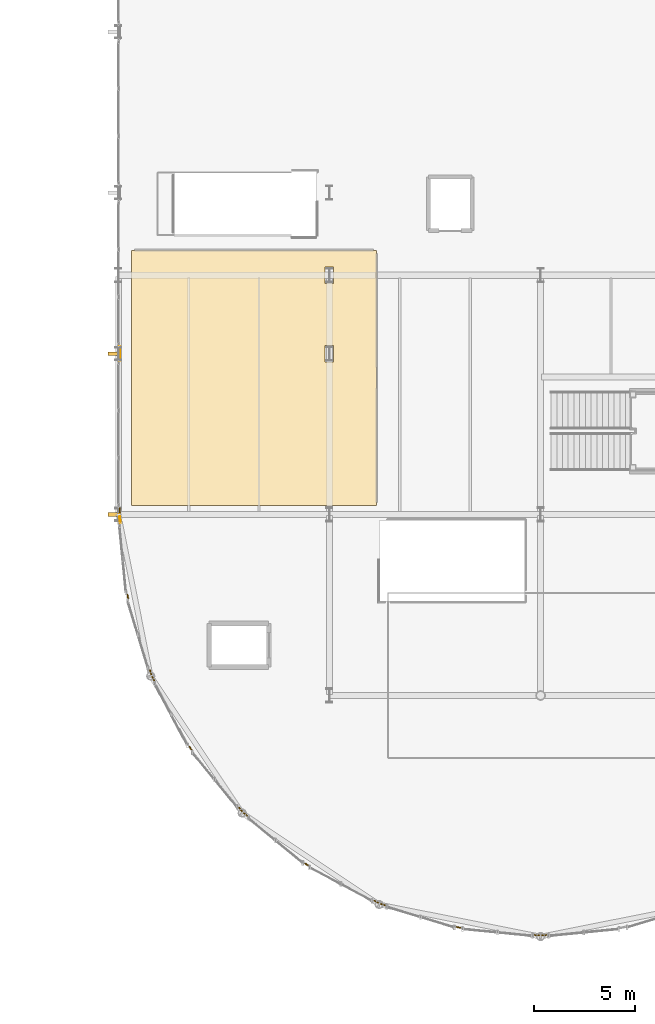
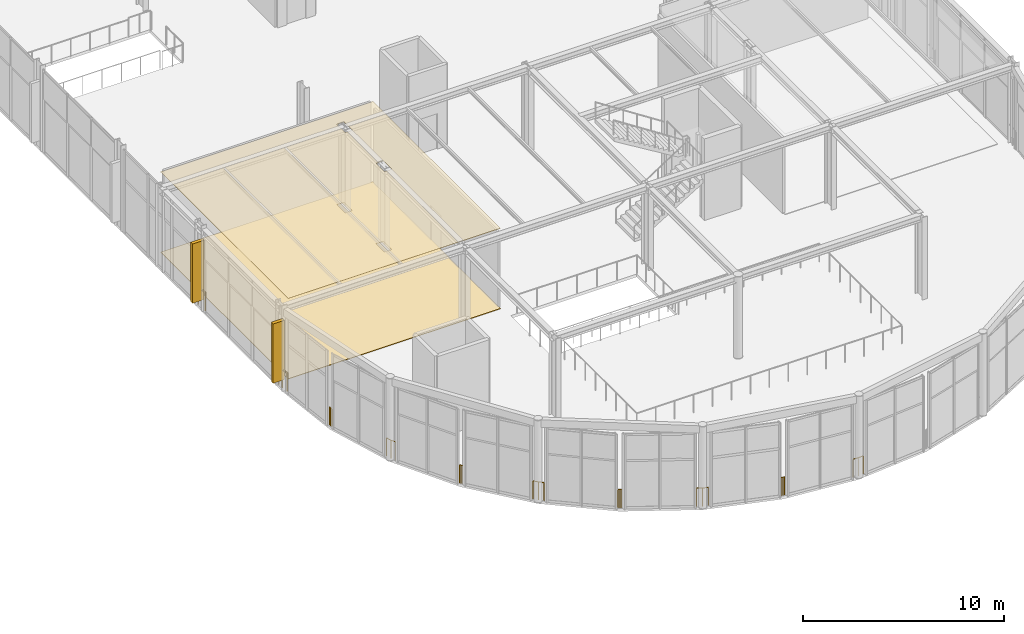
# One storey, part 171 of 195: 11 railings, 2 coverings, 2 shading devices.
"""IFC4 building model written with IfcOpenShell, lengths in metres."""

from ifc_helpers import new_model, si_unit, direction, frame, origin, origin_2d, place, context, subcontext, project, spatial, polyline, rectangle, circle, outline, extrude, material, layer, layer_set, type_object, element, save


model = new_model("IFC4")

# Units and contexts
model_context = context("Model", 3, precision=1e-05, world=origin(), true_north=direction((0.0, 1.0)))
body_context = subcontext(model_context, "Body", "Model", "MODEL_VIEW")
ifc_project = project(units=[si_unit("LENGTHUNIT", "METRE"), si_unit("AREAUNIT", "SQUARE_METRE"), si_unit("VOLUMEUNIT", "CUBIC_METRE"), si_unit("PLANEANGLEUNIT", "RADIAN"), si_unit("MASSUNIT", "GRAM", prefix="KILO")], contexts=[model_context])

# Site, building, storey
site_placement = place(None, origin())
site = spatial("IfcSite", under=ifc_project, at=site_placement, CompositionType="ELEMENT")
building_placement = place(site_placement, origin())
building = spatial("IfcBuilding", under=site, at=building_placement, Name="Marlcrest Central Station", CompositionType="ELEMENT")
storey_placement = place(building_placement, frame((0.0, 0.0, 9.800048828125)))
storey = spatial("IfcBuildingStorey", under=building, at=storey_placement, Name="L02", CompositionType="ELEMENT", Elevation=9.800048828125)

# Coverings
ifc_material_1 = material(Name="Perforated acoustic mineral-fibre ceiling")
ifc_layer_1 = layer(ifc_material_1, 0.02490234375, Name="CV-CLG")
ifc_layer_set_1 = layer_set([ifc_layer_1], Name="Perforated acoustic mineral-fibre ceiling")
covering_type_1 = type_object("IfcCoveringType", Name="CV-CLG", PredefinedType="CEILING", material=ifc_layer_set_1)
covering_1_placement = place(storey_placement, frame((0.0, 0.0, 4.875)))
element("IfcCovering", 1, at=covering_1_placement, inside=storey, type_object=covering_type_1, Name="cov-clg-0091", PredefinedType="CEILING", context=body_context, shape_type="SweptSolid", body=[
    extrude(outline(polyline([(87.659912109375, 35.639892578125), (99.840087890625, 35.639892578125), (99.840087890625, 22.9599609375), (87.659912109375, 22.9599609375), (87.659912109375, 35.639892578125)]), holes=[polyline([(97.2900390625, 30.909912109375), (97.2900390625, 30.090087890625), (97.7099609375, 30.090087890625), (97.7099609375, 30.909912109375), (97.2900390625, 30.909912109375)]), polyline([(97.7099609375, 34.81005859375), (97.2900390625, 34.81005859375), (97.2900390625, 33.989990234375), (97.7099609375, 33.989990234375), (97.7099609375, 34.81005859375)])]), origin(), (0.0, 0.0, 1.0), 0.02490234375),
])
ifc_material_2 = material(Name="Polished terrazzo and tactile transit flooring")
ifc_layer_2 = layer(ifc_material_2, 0.030029296875, Name="CV-FLR")
ifc_layer_set_2 = layer_set([ifc_layer_2], Name="Polished terrazzo and tactile transit flooring")
covering_type_2 = type_object("IfcCoveringType", Name="CV-FLR", PredefinedType="FLOORING", material=ifc_layer_set_2)
covering_2_placement = place(storey_placement, origin())
element("IfcCovering", 2, at=covering_2_placement, inside=storey, type_object=covering_type_2, Name="cov-flr-0092", PredefinedType="FLOORING", context=body_context, shape_type="SweptSolid", body=[
    extrude(outline(polyline([(87.659912109375, 35.639892578125), (99.840087890625, 35.639892578125), (99.840087890625, 22.9599609375), (87.659912109375, 22.9599609375), (87.659912109375, 35.639892578125)]), holes=[polyline([(97.2900390625, 30.909912109375), (97.2900390625, 30.090087890625), (97.7099609375, 30.090087890625), (97.7099609375, 30.909912109375), (97.2900390625, 30.909912109375)]), polyline([(97.7099609375, 34.81005859375), (97.2900390625, 34.81005859375), (97.2900390625, 33.989990234375), (97.7099609375, 33.989990234375), (97.7099609375, 34.81005859375)])]), origin(), (0.0, 0.0, 1.0), 0.030029296875),
])

# Railings
ifc_material_3 = material(Name="Stainless steel and laminated glass concourse balustrade", Category="steel")
railing_type = type_object("IfcRailingType", Name="GR-02", PredefinedType="BALUSTRADE", material=ifc_material_3)
railing_1_placement = place(storey_placement, frame((87.06005859375, 22.5029296875, 0.0)))
element("IfcRailing", 3, at=railing_1_placement, inside=storey, type_object=railing_type, Name="hr-L02-00473", PredefinedType="BALUSTRADE", context=body_context, shape_type="SweptSolid", body=[
    extrude(circle(Radius=0.02392578125, at=origin_2d()), frame((0.0, 0.0, 1.09619140625), z_axis=(0.0, 1.0, 0.0), x_axis=(-1.0, 0.0, 0.0)), (0.0, 0.0, 1.0), 0.337158203125),
    extrude(circle(Radius=0.02099609375, at=origin_2d()), origin(), (0.0, 0.0, 1.0), 1.072021484375),
    extrude(circle(Radius=0.02099609375, at=origin_2d()), frame((0.0, 0.337158203125, 0.0)), (0.0, 0.0, 1.0), 1.072021484375),
])
railing_2_placement = place(storey_placement, frame((87.06005859375, 30.159912109375, 0.0)))
element("IfcRailing", 4, at=railing_2_placement, inside=storey, type_object=railing_type, Name="hr-L02-00474", PredefinedType="BALUSTRADE", context=body_context, shape_type="SweptSolid", body=[
    extrude(circle(Radius=0.02392578125, at=origin_2d()), frame((0.0, 0.0, 1.09619140625), z_axis=(0.0, 1.0, 0.0), x_axis=(-1.0, 0.0, 0.0)), (0.0, 0.0, 1.0), 0.68017578125),
    extrude(circle(Radius=0.02099609375, at=origin_2d()), origin(), (0.0, 0.0, 1.0), 1.072021484375),
    extrude(circle(Radius=0.02099609375, at=origin_2d()), frame((0.0, 0.68017578125, 0.0)), (0.0, 0.0, 1.0), 1.072021484375),
])
railing_3_placement = place(storey_placement, frame((108.285888671875, 1.589111328125, 0.0)))
element("IfcRailing", 5, at=railing_3_placement, inside=storey, type_object=railing_type, Name="hr-L02-00519", PredefinedType="BALUSTRADE", context=body_context, shape_type="SweptSolid", body=[
    extrude(circle(Radius=0.02392578125, at=origin_2d()), frame((0.0, 0.0, 1.09619140625), z_axis=(-0.994876081784, -0.101101839225, 0.0), x_axis=(0.101101839225, -0.994876081784, 0.0)), (0.0, 0.0, 1.0), 0.287353515625),
    extrude(circle(Radius=0.02392578125, at=origin_2d()), frame((-0.285888671875, -0.029052734375, 1.09619140625), z_axis=(-0.994876081784, 0.101101839225, 0.0), x_axis=(-0.101101839225, -0.994876081784, 0.0)), (0.0, 0.0, 1.0), 0.287353515625),
    extrude(circle(Radius=0.02099609375, at=origin_2d()), origin(), (0.0, 0.0, 1.0), 1.072021484375),
    extrude(circle(Radius=0.02099609375, at=origin_2d()), frame((-0.285888671875, -0.029052734375, 0.0)), (0.0, 0.0, 1.0), 1.072021484375),
    extrude(circle(Radius=0.02099609375, at=origin_2d()), frame((-0.57177734375, 0.0, 0.0)), (0.0, 0.0, 1.0), 1.072021484375),
])
railing_4_placement = place(storey_placement, frame((104.00390625, 1.9541015625, 0.0)))
element("IfcRailing", 6, at=railing_4_placement, inside=storey, type_object=railing_type, Name="hr-L02-00520", PredefinedType="BALUSTRADE", context=body_context, shape_type="SweptSolid", body=[
    extrude(circle(Radius=0.02392578125, at=origin_2d()), frame((0.0, 0.0, 1.09619140625), z_axis=(-0.995144874966, 0.0984209217, 0.0), x_axis=(-0.0984209217, -0.995144874966, 0.0)), (0.0, 0.0, 1.0), 0.08935546875),
    extrude(circle(Radius=0.02392578125, at=origin_2d()), frame((-0.0888671875, 0.0087890625, 1.09619140625), z_axis=(-0.956772580042, 0.290837119501, 0.0), x_axis=(-0.290837119501, -0.956772580042, 0.0)), (0.0, 0.0, 1.0), 0.08984375),
    extrude(circle(Radius=0.02099609375, at=origin_2d()), origin(), (0.0, 0.0, 1.0), 1.072021484375),
    extrude(circle(Radius=0.02099609375, at=origin_2d()), frame((-0.0888671875, 0.0087890625, 0.0)), (0.0, 0.0, 1.0), 1.072021484375),
    extrude(circle(Radius=0.02099609375, at=origin_2d()), frame((-0.1748046875, 0.034912109375, 0.0)), (0.0, 0.0, 1.0), 1.072021484375),
])
railing_5_placement = place(storey_placement, frame((100.262939453125, 3.071044921875, 0.0)))
element("IfcRailing", 7, at=railing_5_placement, inside=storey, type_object=railing_type, Name="hr-L02-00521", PredefinedType="BALUSTRADE", context=body_context, shape_type="SweptSolid", body=[
    extrude(circle(Radius=0.02392578125, at=origin_2d()), frame((0.0, 0.0, 1.09619140625), z_axis=(-0.956653372273, 0.291228991205, 0.0), x_axis=(-0.291228991205, -0.956653372273, 0.0)), (0.0, 0.0, 1.0), 0.288330078125),
    extrude(circle(Radius=0.02392578125, at=origin_2d()), frame((-0.27587890625, 0.083984375, 1.09619140625), z_axis=(-0.883126703113, 0.469134550261, 0.0), x_axis=(-0.469134550261, -0.883126703113, 0.0)), (0.0, 0.0, 1.0), 0.287841796875),
    extrude(circle(Radius=0.02099609375, at=origin_2d()), origin(), (0.0, 0.0, 1.0), 1.072021484375),
    extrude(circle(Radius=0.02099609375, at=origin_2d()), frame((-0.27587890625, 0.083984375, 0.0)), (0.0, 0.0, 1.0), 1.072021484375),
    extrude(circle(Radius=0.02099609375, at=origin_2d()), frame((-0.530029296875, 0.218994140625, 0.0)), (0.0, 0.0, 1.0), 1.072021484375),
])
railing_6_placement = place(storey_placement, frame((96.446044921875, 5.047119140625, 0.0)))
element("IfcRailing", 8, at=railing_6_placement, inside=storey, type_object=railing_type, Name="hr-L02-00522", PredefinedType="BALUSTRADE", context=body_context, shape_type="SweptSolid", body=[
    extrude(circle(Radius=0.02392578125, at=origin_2d()), frame((0.0, 0.0, 1.09619140625), z_axis=(-0.885620050665, 0.464410514373, 0.0), x_axis=(-0.464410514373, -0.885620050665, 0.0)), (0.0, 0.0, 1.0), 0.09033203125),
    extrude(circle(Radius=0.02392578125, at=origin_2d()), frame((-0.080078125, 0.0419921875, 1.09619140625), z_axis=(-0.770903388504, 0.636952090501, 0.0), x_axis=(-0.636952090501, -0.770903388504, 0.0)), (0.0, 0.0, 1.0), 0.08935546875),
    extrude(circle(Radius=0.02099609375, at=origin_2d()), origin(), (0.0, 0.0, 1.0), 1.072021484375),
    extrude(circle(Radius=0.02099609375, at=origin_2d()), frame((-0.080078125, 0.0419921875, 0.0)), (0.0, 0.0, 1.0), 1.072021484375),
    extrude(circle(Radius=0.02099609375, at=origin_2d()), frame((-0.14892578125, 0.098876953125, 0.0)), (0.0, 0.0, 1.0), 1.072021484375),
])
railing_7_placement = place(storey_placement, frame((93.416015625, 7.510986328125, 0.0)))
element("IfcRailing", 9, at=railing_7_placement, inside=storey, type_object=railing_type, Name="hr-L02-00523", PredefinedType="BALUSTRADE", context=body_context, shape_type="SweptSolid", body=[
    extrude(circle(Radius=0.02392578125, at=origin_2d()), frame((0.0, 0.0, 1.09619140625), z_axis=(-0.771342036425, 0.636420822133, 0.0), x_axis=(-0.636420822133, -0.771342036425, 0.0)), (0.0, 0.0, 1.0), 0.28759765625),
    extrude(circle(Radius=0.02392578125, at=origin_2d()), frame((-0.221923828125, 0.18310546875, 1.09619140625), z_axis=(-0.636420822133, 0.771342036425, 0.0), x_axis=(-0.771342036425, -0.636420822133, 0.0)), (0.0, 0.0, 1.0), 0.28759765625),
    extrude(circle(Radius=0.02099609375, at=origin_2d()), origin(), (0.0, 0.0, 1.0), 1.072021484375),
    extrude(circle(Radius=0.02099609375, at=origin_2d()), frame((-0.221923828125, 0.18310546875, 0.0)), (0.0, 0.0, 1.0), 1.072021484375),
    extrude(circle(Radius=0.02099609375, at=origin_2d()), frame((-0.405029296875, 0.405029296875, 0.0)), (0.0, 0.0, 1.0), 1.072021484375),
])
railing_8_placement = place(storey_placement, frame((90.64599609375, 10.797119140625, 0.0)))
element("IfcRailing", 10, at=railing_8_placement, inside=storey, type_object=railing_type, Name="hr-L02-00524", PredefinedType="BALUSTRADE", context=body_context, shape_type="SweptSolid", body=[
    extrude(circle(Radius=0.02392578125, at=origin_2d()), frame((0.0, 0.0, 1.09619140625), z_axis=(-0.636952090501, 0.770903388504, 0.0), x_axis=(-0.770903388504, -0.636952090501, 0.0)), (0.0, 0.0, 1.0), 0.08935546875),
    extrude(circle(Radius=0.02392578125, at=origin_2d()), frame((-0.056884765625, 0.06884765625, 1.09619140625), z_axis=(-0.464410514373, 0.885620050665, 0.0), x_axis=(-0.885620050665, -0.464410514373, 0.0)), (0.0, 0.0, 1.0), 0.09033203125),
    extrude(circle(Radius=0.02099609375, at=origin_2d()), origin(), (0.0, 0.0, 1.0), 1.072021484375),
    extrude(circle(Radius=0.02099609375, at=origin_2d()), frame((-0.056884765625, 0.06884765625, 0.0)), (0.0, 0.0, 1.0), 1.072021484375),
    extrude(circle(Radius=0.02099609375, at=origin_2d()), frame((-0.098876953125, 0.14892578125, 0.0)), (0.0, 0.0, 1.0), 1.072021484375),
])
railing_9_placement = place(storey_placement, frame((88.7900390625, 14.23291015625, 0.0)))
element("IfcRailing", 11, at=railing_9_placement, inside=storey, type_object=railing_type, Name="hr-L02-00525", PredefinedType="BALUSTRADE", context=body_context, shape_type="SweptSolid", body=[
    extrude(circle(Radius=0.02392578125, at=origin_2d()), frame((0.0, 0.0, 1.09619140625), z_axis=(-0.469134550261, 0.883126703113, 0.0), x_axis=(-0.883126703113, -0.469134550261, 0.0)), (0.0, 0.0, 1.0), 0.287841796875),
    extrude(circle(Radius=0.02392578125, at=origin_2d()), frame((-0.135009765625, 0.254150390625, 1.09619140625), z_axis=(-0.291228991205, 0.956653372273, 0.0), x_axis=(-0.956653372273, -0.291228991205, 0.0)), (0.0, 0.0, 1.0), 0.288330078125),
    extrude(circle(Radius=0.02099609375, at=origin_2d()), origin(), (0.0, 0.0, 1.0), 1.072021484375),
    extrude(circle(Radius=0.02099609375, at=origin_2d()), frame((-0.135009765625, 0.254150390625, 0.0)), (0.0, 0.0, 1.0), 1.072021484375),
    extrude(circle(Radius=0.02099609375, at=origin_2d()), frame((-0.218994140625, 0.530029296875, 0.0)), (0.0, 0.0, 1.0), 1.072021484375),
])
railing_10_placement = place(storey_placement, frame((87.489013671875, 18.3291015625, 0.0)))
element("IfcRailing", 12, at=railing_10_placement, inside=storey, type_object=railing_type, Name="hr-L02-00526", PredefinedType="BALUSTRADE", context=body_context, shape_type="SweptSolid", body=[
    extrude(circle(Radius=0.02392578125, at=origin_2d()), frame((0.0, 0.0, 1.09619140625), z_axis=(-0.290837119501, 0.956772580042, 0.0), x_axis=(-0.956772580042, -0.290837119501, 0.0)), (0.0, 0.0, 1.0), 0.08984375),
    extrude(circle(Radius=0.02392578125, at=origin_2d()), frame((-0.026123046875, 0.0859375, 1.09619140625), z_axis=(-0.0984209217, 0.995144874966, 0.0), x_axis=(-0.995144874966, -0.0984209217, 0.0)), (0.0, 0.0, 1.0), 0.08935546875),
    extrude(circle(Radius=0.02099609375, at=origin_2d()), origin(), (0.0, 0.0, 1.0), 1.072021484375),
    extrude(circle(Radius=0.02099609375, at=origin_2d()), frame((-0.026123046875, 0.0859375, 0.0)), (0.0, 0.0, 1.0), 1.072021484375),
    extrude(circle(Radius=0.02099609375, at=origin_2d()), frame((-0.034912109375, 0.1748046875, 0.0)), (0.0, 0.0, 1.0), 1.072021484375),
])
railing_11_placement = place(storey_placement, frame((87.10009765625, 22.092041015625, 0.0)))
element("IfcRailing", 13, at=railing_11_placement, inside=storey, type_object=railing_type, Name="hr-L02-00527", PredefinedType="BALUSTRADE", context=body_context, shape_type="SweptSolid", body=[
    extrude(circle(Radius=0.02392578125, at=origin_2d()), frame((0.0, 0.0, 1.09619140625), z_axis=(-0.096985661157, 0.995285778824, 0.0), x_axis=(-0.995285778824, -0.096985661157, 0.0)), (0.0, 0.0, 1.0), 0.412841796875),
    extrude(circle(Radius=0.02099609375, at=origin_2d()), origin(), (0.0, 0.0, 1.0), 1.072021484375),
    extrude(circle(Radius=0.02099609375, at=origin_2d()), frame((-0.0400390625, 0.410888671875, 0.0)), (0.0, 0.0, 1.0), 1.072021484375),
])

# Shading devices
ifc_material_4 = material(Name="Precast concrete C40/50", Category="concrete")
shading_device_type = type_object("IfcShadingDeviceType", Name="SD-BS1", PredefinedType="USERDEFINED", material=ifc_material_4)
for number, where, z_axis, x_axis, name in (
    (14, (86.800048828125, 22.5, 0.5), (0.0, 0.0, 1.0), (0.0, 1.0, 0.0), "shd-L02-0001"),
    (15, (86.800048828125, 30.5, 0.5), (0.0, 0.0, 1.0), (0.0, 1.0, 0.0), "shd-L02-0003"),
):
    element("IfcShadingDevice", number, at=place(storey_placement, frame(where, z_axis=z_axis, x_axis=x_axis)), inside=storey, type_object=shading_device_type, Name=name, ObjectType="BRISE_SOLEIL", PredefinedType="USERDEFINED", context=body_context, shape_type="SweptSolid", body=[
        extrude(rectangle(XDim=0.179931640625, YDim=0.64990234375, at=origin_2d()), origin(), (0.0, 0.0, 1.0), 3.60009765625),
    ])

save(model, "model.ifc")
